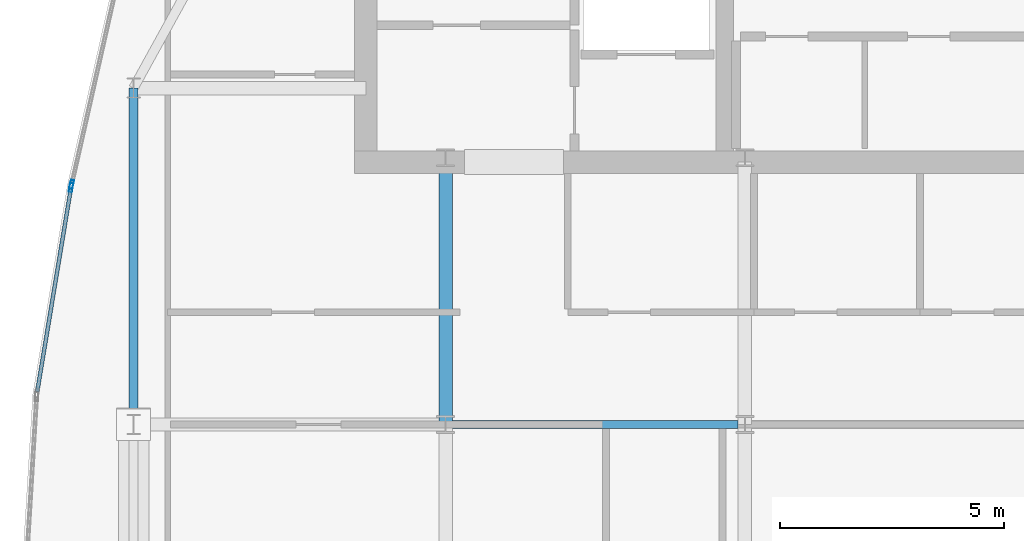
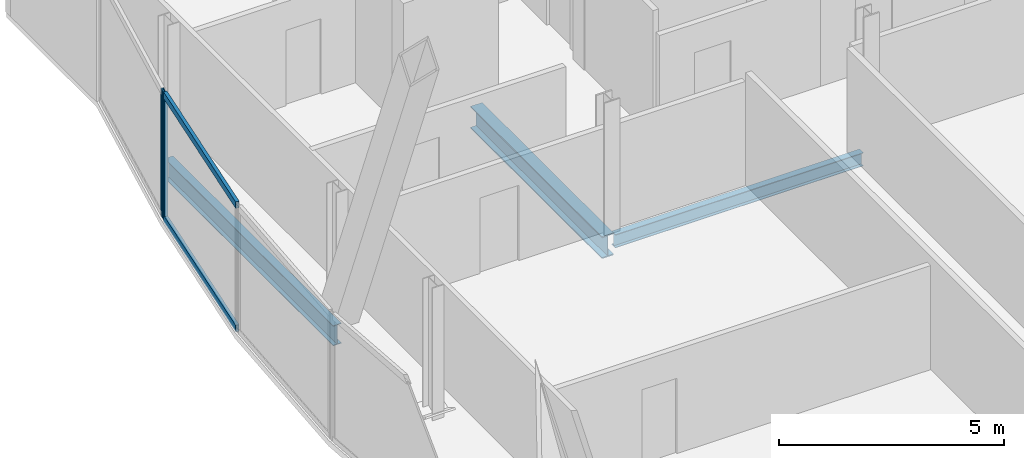
# One storey, part 13 of 31: 4 members, 3 beams, 2 elements without a shape of their own.
"""IFC4 building model written with IfcOpenShell, lengths in metres."""

from ifc_helpers import new_model, si_unit, direction, frame, origin, origin_2d, place, context, subcontext, project, spatial, hollow_rectangle, i_section, extrude, material, material_profile, profile_set, type_object, element, aggregate, save


model = new_model("IFC4")

# Units and contexts
model_context = context("Model", 3, precision=1e-05, world=origin(), true_north=direction((0.0, 1.0)))
body_context = subcontext(model_context, "Body", "Model", "MODEL_VIEW")
ifc_project = project(units=[si_unit("LENGTHUNIT", "METRE"), si_unit("AREAUNIT", "SQUARE_METRE"), si_unit("VOLUMEUNIT", "CUBIC_METRE"), si_unit("PLANEANGLEUNIT", "RADIAN"), si_unit("MASSUNIT", "GRAM", prefix="KILO")], contexts=[model_context])

# Site, building, storey
site_placement = place(None, origin())
site = spatial("IfcSite", under=ifc_project, at=site_placement, CompositionType="ELEMENT")
building_placement = place(site_placement, origin())
building = spatial("IfcBuilding", under=site, at=building_placement, Name="Khoronbel Lancet Exchange", CompositionType="ELEMENT")
storey_placement = place(building_placement, frame((0.0, 0.0, 325.39990234375)))
storey = spatial("IfcBuildingStorey", under=building, at=storey_placement, Name="L84", CompositionType="ELEMENT", Elevation=325.39990234375)

# Beams
ifc_material_1 = material(Name="Steel S355", Category="steel")
ifc_material_profile_1 = material_profile(ifc_material_1, i_section(OverallWidth=0.300048828125, OverallDepth=0.60009765625, WebThickness=0.015380859375, FlangeThickness=0.030029296875, at=origin_2d()), Name="HEB 600")
ifc_profile_set_1 = profile_set([ifc_material_profile_1], Name="Steel S355")
beam_type_1 = type_object("IfcBeamType", Name="BM-BG5", PredefinedType="BEAM", material=ifc_profile_set_1)
beam_1_placement = place(storey_placement, frame((18.22509765625, 35.699951171875, -0.4599609375), z_axis=(0.0, 1.0, 0.0), x_axis=(-1.0, 0.0, 0.0)))
element("IfcBeam", 1, at=beam_1_placement, inside=storey, type_object=beam_type_1, Name="Level L84 spine tie girder GN1", PredefinedType="BEAM", context=body_context, shape_type="SweptSolid", body=[
    extrude(i_section(OverallWidth=0.300048828125, OverallDepth=0.60009765625, WebThickness=0.015380859375, FlangeThickness=0.030029296875, at=origin_2d()), origin(), (0.0, 0.0, 1.0), 5.85009765625),
])
ifc_material_profile_2 = material_profile(ifc_material_1, i_section(OverallWidth=0.169921875, OverallDepth=0.360107421875, WebThickness=0.008056640625, FlangeThickness=0.0126953125, at=origin_2d()), Name="IPE 360")
ifc_profile_set_2 = profile_set([ifc_material_profile_2], Name="Steel S355")
beam_type_2 = type_object("IfcBeamType", Name="BM-BJ6", PredefinedType="JOIST", material=ifc_profile_set_2)
beam_2_placement = place(storey_placement, frame((18.375, 35.699951171875, -0.33984375), z_axis=(1.0, 0.0, 0.0), x_axis=(0.0, 1.0, 0.0)))
element("IfcBeam", 2, at=beam_2_placement, inside=storey, type_object=beam_type_2, Name="Level L84 secondary composite joist J10", PredefinedType="JOIST", context=body_context, shape_type="SweptSolid", body=[
    extrude(i_section(OverallWidth=0.169921875, OverallDepth=0.360107421875, WebThickness=0.008056640625, FlangeThickness=0.0126953125, at=origin_2d()), origin(), (0.0, 0.0, 1.0), 6.375),
])
ifc_material_profile_3 = material_profile(ifc_material_1, i_section(OverallWidth=0.2099609375, OverallDepth=0.550048828125, WebThickness=0.010986328125, FlangeThickness=0.01708984375, at=origin_2d()), Name="IPE 550")
ifc_profile_set_3 = profile_set([ifc_material_profile_3], Name="Steel S355")
beam_type_3 = type_object("IfcBeamType", Name="BM-BSP3", PredefinedType="SPANDREL", material=ifc_profile_set_3)
beam_3_placement = place(storey_placement, frame((11.27001953125, 43.199951171875, -0.434814453125), z_axis=(0.0, -1.0, 0.0), x_axis=(1.0, 0.0, 0.0)))
element("IfcBeam", 3, at=beam_3_placement, inside=storey, type_object=beam_type_3, Name="Level L84 perimeter spandrel beam SP15", PredefinedType="SPANDREL", context=body_context, shape_type="SweptSolid", body=[
    extrude(i_section(OverallWidth=0.2099609375, OverallDepth=0.550048828125, WebThickness=0.010986328125, FlangeThickness=0.01708984375, at=origin_2d()), origin(), (0.0, 0.0, 1.0), 7.5),
])

# Curtain wall, member
ifc_material_2 = material(Name="Low-E Solar Control Insulating Glass", Category="glass")
curtain_wall_type = type_object("IfcCurtainWallType", Name="CW-4", PredefinedType="NOTDEFINED", material=ifc_material_2)
curtain_wall_1_placement = place(storey_placement, origin())
curtain_wall_1 = element("IfcCurtainWall", 4, at=curtain_wall_1_placement, inside=storey, type_object=curtain_wall_type, Name="Unitised curtain wall CW-L84-E08", PredefinedType="NOTDEFINED")
ifc_material_3 = material(Name="Bronze-Anodised Aluminium 6063-T6", Category="aluminium")
ifc_material_profile_4 = material_profile(ifc_material_3, hollow_rectangle(XDim=0.074951171875, YDim=0.199951171875, WallThickness=0.0048828125, at=origin_2d()), Name="ALU MULLION 75x200")
ifc_profile_set_4 = profile_set([ifc_material_profile_4], Name="Bronze-Anodised Aluminium 6063-T6")
member_type_1 = type_object("IfcMemberType", Name="MEM-CWM2", PredefinedType="MULLION", material=ifc_profile_set_4)
member_1_placement = place(storey_placement, frame((9.876953125, 40.97900390625, 0.0), z_axis=(0.0, 0.0, 1.0), x_axis=(-0.98657075141, 0.163334480321, 0.0)))
member_1 = element("IfcMember", 5, at=member_1_placement, type_object=member_type_1, Name="CW4 mullion 2", PredefinedType="MULLION", context=body_context, shape_type="SweptSolid", body=[
    extrude(hollow_rectangle(XDim=0.074951171875, YDim=0.199951171875, WallThickness=0.0048828125, at=origin_2d()), origin(), (0.0, 0.0, 1.0), 3.440185546875),
])

curtain_wall_2_placement = place(storey_placement, origin())
curtain_wall_2 = element("IfcCurtainWall", 6, at=curtain_wall_2_placement, inside=storey, type_object=curtain_wall_type, Name="Unitised curtain wall CW-L84-E09", PredefinedType="NOTDEFINED")
member_2_placement = place(storey_placement, frame((9.891357421875, 41.052490234375, 0.0), z_axis=(0.0, 0.0, 1.0), x_axis=(-0.975369067716, 0.220579196078, 0.0)))
member_2 = element("IfcMember", 7, at=member_2_placement, type_object=member_type_1, Name="CW4 mullion 1", PredefinedType="MULLION", context=body_context, shape_type="SweptSolid", body=[
    extrude(hollow_rectangle(XDim=0.074951171875, YDim=0.199951171875, WallThickness=0.0048828125, at=origin_2d()), origin(), (0.0, 0.0, 1.0), 3.440185546875),
])
aggregate(curtain_wall_2, [member_2])

# Member
ifc_material_profile_5 = material_profile(ifc_material_3, hollow_rectangle(XDim=0.0849609375, YDim=0.179931640625, WallThickness=0.0048828125, at=origin_2d()), Name="ALU TRANSOM 85x180")
ifc_profile_set_5 = profile_set([ifc_material_profile_5], Name="Bronze-Anodised Aluminium 6063-T6")
member_type_2 = type_object("IfcMemberType", Name="MEM-CWT1", PredefinedType="USERDEFINED", material=ifc_profile_set_5)
member_3_placement = place(storey_placement, frame((9.123779296875, 36.4306640625, 0.04248046875), z_axis=(0.163377250184, 0.986563669574, 0.0), x_axis=(-0.986563669574, 0.163377250184, 0.0)))
member_3 = element("IfcMember", 8, at=member_3_placement, type_object=member_type_2, Name="CW4 transom 1.1", ObjectType="TRANSOM", PredefinedType="USERDEFINED", context=body_context, shape_type="SweptSolid", body=[
    extrude(hollow_rectangle(XDim=0.0849609375, YDim=0.179931640625, WallThickness=0.0048828125, at=origin_2d()), origin(), (0.0, 0.0, 1.0), 4.57275390625),
])

member_4_placement = place(storey_placement, frame((9.123779296875, 36.4306640625, 3.397705078125), z_axis=(0.163377250184, 0.986563669574, 0.0), x_axis=(-0.986563669574, 0.163377250184, 0.0)))
member_4 = element("IfcMember", 9, at=member_4_placement, type_object=member_type_2, Name="CW4 transom 1.2", ObjectType="TRANSOM", PredefinedType="USERDEFINED", context=body_context, shape_type="SweptSolid", body=[
    extrude(hollow_rectangle(XDim=0.0849609375, YDim=0.179931640625, WallThickness=0.0048828125, at=origin_2d()), origin(), (0.0, 0.0, 1.0), 4.57275390625),
])

aggregate(curtain_wall_1, [member_1, member_3, member_4])

save(model, "model.ifc")
